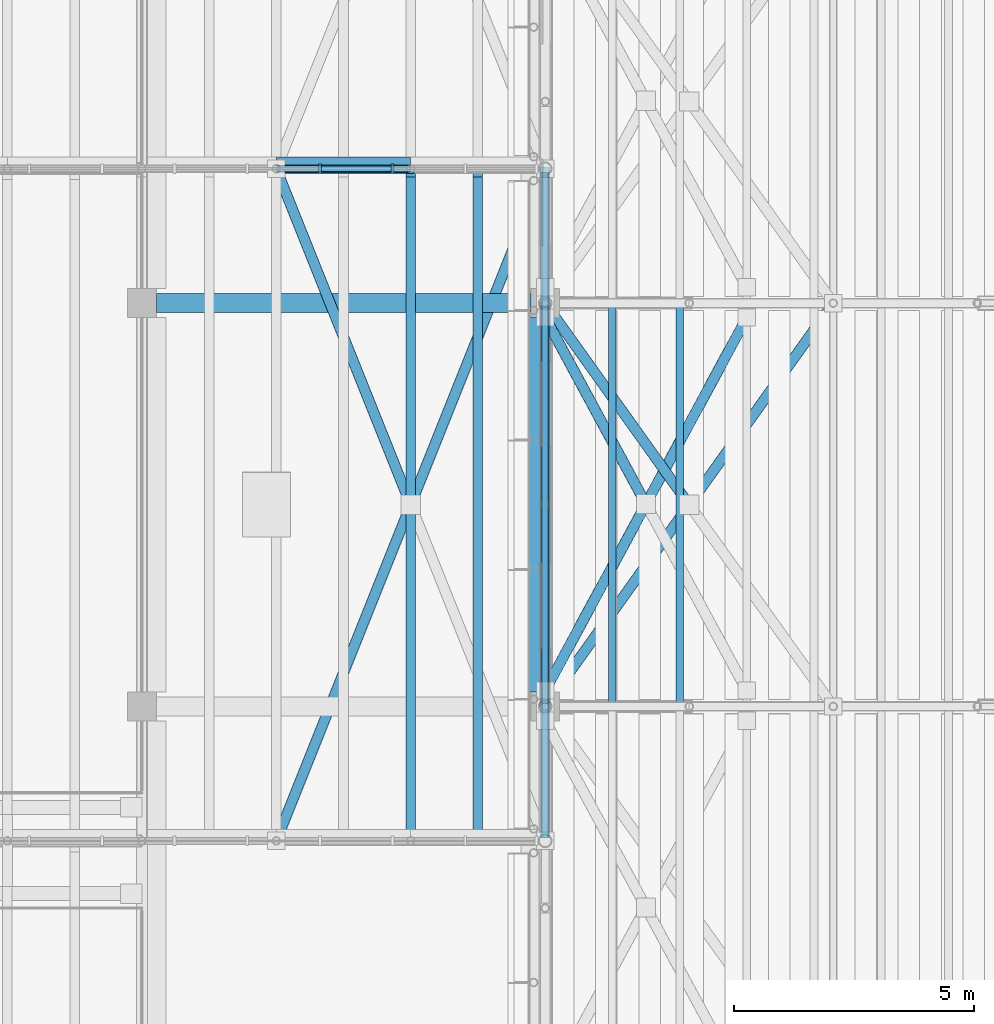
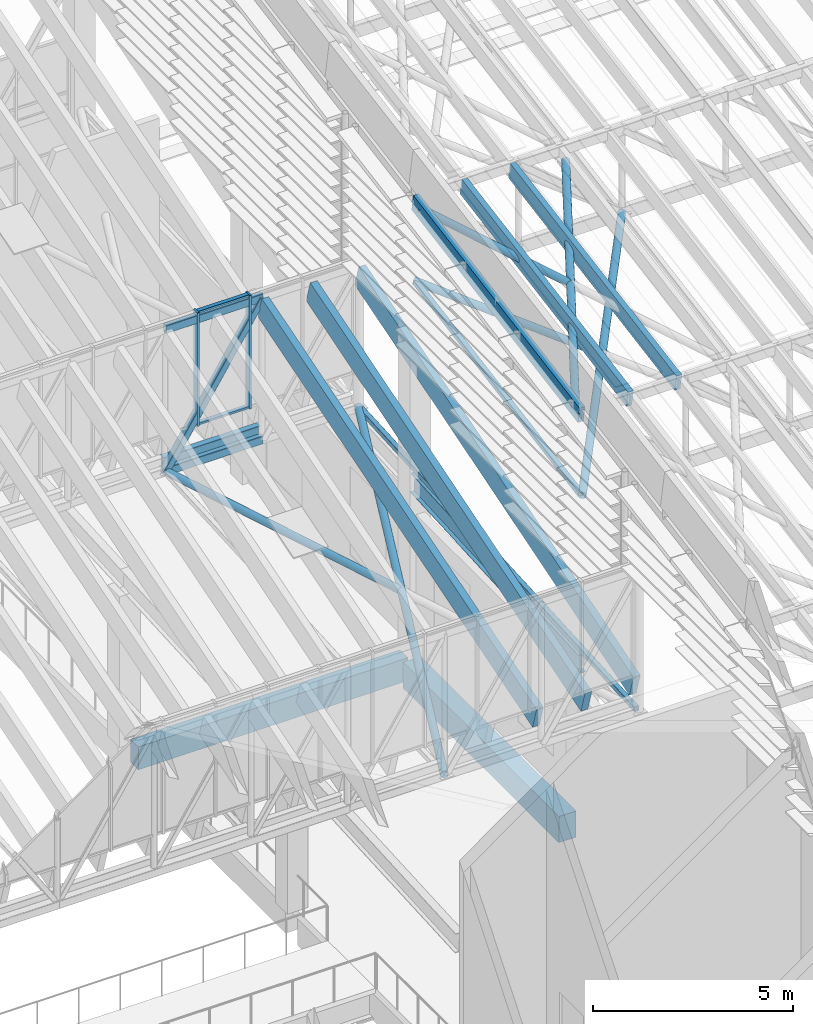
# One storey, part 23 of 91: 21 members, 4 beams, 1 element without a shape of its own.
"""IFC4 building model written with IfcOpenShell, lengths in metres."""

from ifc_helpers import new_model, si_unit, direction, frame, origin, origin_2d, place, context, subcontext, project, spatial, rectangle, hollow_rectangle, hollow_circle, i_section, extrude, material, material_profile, profile_set, type_object, element, aggregate, save


model = new_model("IFC4")

# Units and contexts
model_context = context("Model", 3, precision=1e-05, world=origin(), true_north=direction((0.0, 1.0)))
body_context = subcontext(model_context, "Body", "Model", "MODEL_VIEW")
ifc_project = project(units=[si_unit("LENGTHUNIT", "METRE"), si_unit("AREAUNIT", "SQUARE_METRE"), si_unit("VOLUMEUNIT", "CUBIC_METRE"), si_unit("PLANEANGLEUNIT", "RADIAN"), si_unit("MASSUNIT", "GRAM", prefix="KILO")], contexts=[model_context])

# Site, building, storey
site_placement = place(None, origin())
site = spatial("IfcSite", under=ifc_project, at=site_placement, CompositionType="ELEMENT")
building_placement = place(site_placement, origin())
building = spatial("IfcBuilding", under=site, at=building_placement, Name="Almond Square Museum", CompositionType="ELEMENT")
storey_placement = place(building_placement, frame((0.0, 0.0, 30.0)))
storey = spatial("IfcBuildingStorey", under=building, at=storey_placement, Name="L05", CompositionType="ELEMENT", Elevation=30.0)

# Curtain wall, members
ifc_material_1 = material(Name="Aluminium and laminated glass", Category="aluminium")
curtain_wall_type = type_object("IfcCurtainWallType", Name="Unitised curtain wall 1500 module", PredefinedType="NOTDEFINED", material=ifc_material_1)
curtain_wall_placement = place(storey_placement, origin())
curtain_wall = element("IfcCurtainWall", 1, at=curtain_wall_placement, inside=storey, type_object=curtain_wall_type, Name="Rooflight glazing AG2", PredefinedType="NOTDEFINED")
ifc_material_2 = material(Name="Anodised aluminium", Category="aluminium")
ifc_material_profile_1 = material_profile(ifc_material_2, rectangle(XDim=0.199951171875, YDim=0.06005859375, at=origin_2d()))
ifc_profile_set_1 = profile_set([ifc_material_profile_1], Name="Anodised aluminium")
member_type_1 = type_object("IfcMemberType", Name="Aluminium mullion 60 x 200", PredefinedType="MULLION", material=ifc_profile_set_1)
member_1_placement = place(storey_placement, frame((102.109130859375, 95.199951171875, 6.60009765625), z_axis=(0.0, 0.0, 1.0), x_axis=(0.0, 1.0, 0.0)))
member_1 = element("IfcMember", 2, at=member_1_placement, type_object=member_type_1, Name="CW-57 mullion 20", PredefinedType="MULLION", context=body_context, shape_type="SweptSolid", body=[
    extrude(rectangle(XDim=0.199951171875, YDim=0.06005859375, at=origin_2d()), origin(), (0.0, 0.0, 1.0), 3.480224609375),
])
member_2_placement = place(storey_placement, frame((103.622802734375, 95.199951171875, 6.60009765625), z_axis=(0.0, 0.0, 1.0), x_axis=(0.0, 1.0, 0.0)))
member_2 = element("IfcMember", 3, at=member_2_placement, type_object=member_type_1, Name="CW-57 mullion 21", PredefinedType="MULLION", context=body_context, shape_type="SweptSolid", body=[
    extrude(rectangle(XDim=0.199951171875, YDim=0.06005859375, at=origin_2d()), origin(), (0.0, 0.0, 1.0), 3.480224609375),
])
ifc_material_3 = material(Name="Anodised aluminium", Category="aluminium")
ifc_material_profile_2 = material_profile(ifc_material_3, rectangle(XDim=0.1201171875, YDim=0.06005859375, at=origin_2d()))
ifc_profile_set_2 = profile_set([ifc_material_profile_2], Name="Anodised aluminium")
member_type_2 = type_object("IfcMemberType", Name="Aluminium transom 60 x 120", PredefinedType="USERDEFINED", material=ifc_profile_set_2)
member_3_placement = place(storey_placement, frame((102.13916015625, 95.199951171875, 6.6298828125), z_axis=(1.0, 0.0, 0.0), x_axis=(0.0, 1.0, 0.0)))
member_3 = element("IfcMember", 4, at=member_3_placement, type_object=member_type_2, Name="CW-57 transom 20.1", ObjectType="TRANSOM", PredefinedType="USERDEFINED", context=body_context, shape_type="SweptSolid", body=[
    extrude(rectangle(XDim=0.1201171875, YDim=0.06005859375, at=origin_2d()), origin(), (0.0, 0.0, 1.0), 1.45361328125),
])
member_4_placement = place(storey_placement, frame((102.13916015625, 95.199951171875, 10.05029296875), z_axis=(1.0, 0.0, 0.0), x_axis=(0.0, 1.0, 0.0)))
member_4 = element("IfcMember", 5, at=member_4_placement, type_object=member_type_2, Name="CW-57 transom 20.2", ObjectType="TRANSOM", PredefinedType="USERDEFINED", context=body_context, shape_type="SweptSolid", body=[
    extrude(rectangle(XDim=0.1201171875, YDim=0.06005859375, at=origin_2d()), origin(), (0.0, 0.0, 1.0), 1.45361328125),
])
aggregate(curtain_wall, [member_1, member_2, member_3, member_4])

# Beam
ifc_material_4 = material(Name="Structural steel S355", Category="steel")
ifc_material_profile_3 = material_profile(ifc_material_4, i_section(OverallWidth=0.22802734375, OverallDepth=0.60693359375, WebThickness=0.01123046875, FlangeThickness=0.017333984375, at=origin_2d()))
ifc_profile_set_3 = profile_set([ifc_material_profile_3], Name="Structural steel S355")
beam_type_1 = type_object("IfcBeamType", Name="Girder W610x113", PredefinedType="BEAM", material=ifc_profile_set_3)
beam_1_placement = place(storey_placement, frame((106.800048828125, 84.0, 4.436767578125), z_axis=(0.0, 0.998371428865, 0.0570481378), x_axis=(-1.0, 0.0, 0.0)))
element("IfcBeam", 6, at=beam_1_placement, inside=storey, type_object=beam_type_1, Name="Atrium roof girder 4.2", PredefinedType="BEAM", context=body_context, shape_type="SweptSolid", body=[
    extrude(i_section(OverallWidth=0.22802734375, OverallDepth=0.60693359375, WebThickness=0.01123046875, FlangeThickness=0.017333984375, at=origin_2d()), origin(), (0.0, 0.0, 1.0), 8.41357421875),
])

# Members
ifc_material_5 = material(Name="Glulam GL28h", Category="wood")
ifc_material_profile_4 = material_profile(ifc_material_5, rectangle(XDim=0.159912109375, YDim=0.5, at=origin_2d()))
ifc_profile_set_4 = profile_set([ifc_material_profile_4], Name="Glulam GL28h")
member_type_3 = type_object("IfcMemberType", Name="Glulam rafter GL28h 160x500", PredefinedType="RAFTER", material=ifc_profile_set_4)
for number, where, z_axis, x_axis, name in (
    (7, (106.800048828125, 84.030029296875, 12.02978515625), (0.0, 0.985026056556, 0.172405533279), (-1.0, 0.0, 0.0), "Hall rafter 5.1"),
    (8, (108.199951171875, 84.030029296875, 12.02978515625), (0.0, 0.985026056556, 0.172405533279), (-1.0, 0.0, 0.0), "Hall rafter 5.2"),
    (9, (109.60009765625, 84.030029296875, 12.02978515625), (0.0, 0.985026056556, 0.172405533279), (-1.0, 0.0, 0.0), "Hall rafter 5.3"),
):
    element("IfcMember", number, at=place(storey_placement, frame(where, z_axis=z_axis, x_axis=x_axis)), inside=storey, type_object=member_type_3, Name=name, PredefinedType="RAFTER", context=body_context, shape_type="SweptSolid", body=[
        extrude(rectangle(XDim=0.159912109375, YDim=0.5, at=origin_2d()), origin(), (0.0, 0.0, 1.0), 8.459716796875),
    ])
ifc_material_6 = material(Name="Glulam GL28h", Category="wood")
ifc_material_profile_5 = material_profile(ifc_material_6, rectangle(XDim=0.199951171875, YDim=0.699951171875, at=origin_2d()))
ifc_profile_set_5 = profile_set([ifc_material_profile_5], Name="Glulam GL28h")
member_type_4 = type_object("IfcMemberType", Name="Glulam rafter GL28h 200x700", PredefinedType="RAFTER", material=ifc_profile_set_5)
for number, where, z_axis, x_axis, name in (
    (10, (104.0, 81.35791015625, 5.377685546875), (0.0, 0.956305482031, 0.29236932985), (-1.0, 0.0, 0.0), "Atrium rafter 2.23"),
    (11, (105.39990234375, 81.35791015625, 5.377685546875), (0.0, 0.956305482031, 0.29236932985), (-1.0, 0.0, 0.0), "Atrium rafter 2.24"),
    (12, (106.800048828125, 81.35791015625, 5.377685546875), (0.0, 0.956305482031, 0.29236932985), (-1.0, 0.0, 0.0), "Atrium rafter 2.25"),
):
    element("IfcMember", number, at=place(storey_placement, frame(where, z_axis=z_axis, x_axis=x_axis)), inside=storey, type_object=member_type_4, Name=name, PredefinedType="RAFTER", context=body_context, shape_type="SweptSolid", body=[
        extrude(rectangle(XDim=0.199951171875, YDim=0.699951171875, at=origin_2d()), origin(), (0.0, 0.0, 1.0), 14.396240234375),
    ])

# Beams
ifc_material_7 = material(Name="Concrete C40/50", Category="concrete")
ifc_material_profile_6 = material_profile(ifc_material_7, rectangle(XDim=0.39990234375, YDim=0.699951171875, at=origin_2d()))
ifc_profile_set_6 = profile_set([ifc_material_profile_6], Name="Concrete C40/50")
beam_type_2 = type_object("IfcBeamType", Name="RC beam 400 x 700 C40/50", PredefinedType="BEAM", material=ifc_profile_set_6)
beam_2_placement = place(storey_placement, frame((98.699951171875, 92.39990234375, -0.60009765625), z_axis=(1.0, 0.0, 0.0), x_axis=(0.0, 1.0, 0.0)))
element("IfcBeam", 13, at=beam_2_placement, inside=storey, type_object=beam_type_2, Name="Beam L 13-14 L05", PredefinedType="BEAM", context=body_context, shape_type="SweptSolid", body=[
    extrude(rectangle(XDim=0.39990234375, YDim=0.699951171875, at=origin_2d()), origin(), (0.0, 0.0, 1.0), 7.800048828125),
])
ifc_material_8 = material(Name="Concrete C40/50", Category="concrete")
ifc_material_profile_7 = material_profile(ifc_material_8, rectangle(XDim=0.5, YDim=0.800048828125, at=origin_2d()))
ifc_profile_set_7 = profile_set([ifc_material_profile_7], Name="Concrete C40/50")
beam_type_3 = type_object("IfcBeamType", Name="RC edge beam 500 x 800 C40/50", PredefinedType="BEAM", material=ifc_profile_set_7)
beam_3_placement = place(storey_placement, frame((106.550048828125, 84.300048828125, -0.64990234375), z_axis=(0.0, 1.0, 0.0), x_axis=(-1.0, 0.0, 0.0)))
element("IfcBeam", 14, at=beam_3_placement, inside=storey, type_object=beam_type_3, Name="Edge beam 14 K-L L05", PredefinedType="BEAM", context=body_context, shape_type="SweptSolid", body=[
    extrude(rectangle(XDim=0.5, YDim=0.800048828125, at=origin_2d()), origin(), (0.0, 0.0, 1.0), 7.800048828125),
])

# Members
ifc_material_9 = material(Name="Structural steel S355", Category="steel")
ifc_material_profile_8 = material_profile(ifc_material_9, hollow_circle(Radius=0.109619140625, WallThickness=0.010009765625, at=origin_2d()))
ifc_profile_set_8 = profile_set([ifc_material_profile_8], Name="Structural steel S355")
member_type_5 = type_object("IfcMemberType", Name="Roof brace CHS 219.1x10", PredefinedType="BRACE", material=ifc_profile_set_8)
member_5_placement = place(storey_placement, frame((106.800048828125, 84.0, 9.580078125), z_axis=(0.575437525573, 0.805603169958, 0.140979384012), x_axis=(-0.813730275137, 0.581242668191, 0.0)))
element("IfcMember", 15, at=member_5_placement, inside=storey, type_object=member_type_5, Name="Hall bay 5 plan brace", PredefinedType="BRACE", context=body_context, shape_type="SweptSolid", body=[
    extrude(hollow_circle(Radius=0.109619140625, WallThickness=0.010009765625, at=origin_2d()), origin(), (0.0, 0.0, 1.0), 10.4267578125),
])
member_6_placement = place(storey_placement, frame((106.800048828125, 84.330078125, 12.08251953125), z_axis=(0.469976234264, 0.869468327134, 0.152141931559), x_axis=(-0.879709326121, 0.475511831121, 0.0)))
element("IfcMember", 16, at=member_6_placement, inside=storey, type_object=member_type_5, Name="Hall roof plane brace 5", PredefinedType="BRACE", context=body_context, shape_type="SweptSolid", body=[
    extrude(hollow_circle(Radius=0.109619140625, WallThickness=0.010009765625, at=origin_2d()), origin(), (0.0, 0.0, 1.0), 8.9365234375),
])
member_7_placement = place(storey_placement, frame((101.199951171875, 81.199951171875, 4.705078125), z_axis=(0.370874574302, 0.927170267188, 0.052984391838), x_axis=(-0.928474457584, 0.371396259558, 0.0)))
element("IfcMember", 17, at=member_7_placement, inside=storey, type_object=member_type_5, Name="Atrium bay 1 plan brace", PredefinedType="BRACE", context=body_context, shape_type="SweptSolid", body=[
    extrude(hollow_circle(Radius=0.109619140625, WallThickness=0.010009765625, at=origin_2d()), origin(), (0.0, 0.0, 1.0), 15.099609375),
])
member_8_placement = place(storey_placement, frame((104.0, 88.199951171875, 5.105224609375), z_axis=(-0.370874891975, 0.927171061358, 0.052968268642), x_axis=(-0.928474457584, -0.371396259558, 0.0)))
element("IfcMember", 18, at=member_8_placement, inside=storey, type_object=member_type_5, Name="Atrium bay 1 plan brace", PredefinedType="BRACE", context=body_context, shape_type="SweptSolid", body=[
    extrude(hollow_circle(Radius=0.109619140625, WallThickness=0.010009765625, at=origin_2d()), origin(), (0.0, 0.0, 1.0), 7.5498046875),
])
member_9_placement = place(storey_placement, frame((109.800048828125, 88.199951171875, 10.31494140625), z_axis=(-0.575435625919, 0.805600510472, 0.141002333141), x_axis=(-0.813730275137, -0.581242668191, 0.0)))
element("IfcMember", 19, at=member_9_placement, inside=storey, type_object=member_type_5, Name="Hall bay 5 plan brace", PredefinedType="BRACE", context=body_context, shape_type="SweptSolid", body=[
    extrude(hollow_circle(Radius=0.109619140625, WallThickness=0.010009765625, at=origin_2d()), origin(), (0.0, 0.0, 1.0), 5.21337890625),
])
member_10_placement = place(storey_placement, frame((108.89990234375, 88.215087890625, 12.76220703125), z_axis=(-0.469952995123, 0.869475876223, 0.152170572191), x_axis=(-0.87972088867, -0.47549043948, 0.0)))
element("IfcMember", 20, at=member_10_placement, inside=storey, type_object=member_type_5, Name="Hall roof plane brace 5", PredefinedType="BRACE", context=body_context, shape_type="SweptSolid", body=[
    extrude(hollow_circle(Radius=0.109619140625, WallThickness=0.010009765625, at=origin_2d()), origin(), (0.0, 0.0, 1.0), 4.46826171875),
])
ifc_material_10 = material(Name="Structural steel S355", Category="steel")
ifc_material_profile_9 = material_profile(ifc_material_10, hollow_rectangle(XDim=0.14990234375, YDim=0.25, WallThickness=0.010009765625, InnerFilletRadius=0.014892578125, OuterFilletRadius=0.02490234375, at=origin_2d()))
ifc_profile_set_9 = profile_set([ifc_material_profile_9], Name="Structural steel S355")
member_type_6 = type_object("IfcMemberType", Name="Truss chord RHS 250x150x10", PredefinedType="CHORD", material=ifc_profile_set_9)
for number, where, z_axis, x_axis, name in (
    (21, (101.199951171875, 95.199951171875, 9.8505859375), (1.0, 0.0, 0.0), (0.0, 1.0, 0.0), "TR-11 top chord 11"),
    (22, (101.199951171875, 95.199951171875, 5.505126953125), (1.0, 0.0, 0.0), (0.0, 1.0, 0.0), "TR-11 bottom chord 11"),
):
    element("IfcMember", number, at=place(storey_placement, frame(where, z_axis=z_axis, x_axis=x_axis)), inside=storey, type_object=member_type_6, Name=name, PredefinedType="CHORD", context=body_context, shape_type="SweptSolid", body=[
        extrude(hollow_rectangle(XDim=0.14990234375, YDim=0.25, WallThickness=0.010009765625, InnerFilletRadius=0.014892578125, OuterFilletRadius=0.02490234375, at=origin_2d()), origin(), (0.0, 0.0, 1.0), 2.800048828125),
    ])
ifc_material_11 = material(Name="Structural steel S355", Category="steel")
ifc_material_profile_10 = material_profile(ifc_material_11, hollow_rectangle(XDim=0.199951171875, YDim=0.199951171875, WallThickness=0.010009765625, InnerFilletRadius=0.014892578125, OuterFilletRadius=0.02490234375, at=origin_2d()))
ifc_profile_set_10 = profile_set([ifc_material_profile_10], Name="Structural steel S355")
member_type_7 = type_object("IfcMemberType", Name="Truss diagonal SHS 200x200x10", PredefinedType="BRACE", material=ifc_profile_set_10)
member_11_placement = place(storey_placement, frame((101.199951171875, 95.199951171875, 5.505126953125), z_axis=(0.541652391523, 0.0, 0.840602573609), x_axis=(0.0, 1.0, 0.0)))
element("IfcMember", 23, at=member_11_placement, inside=storey, type_object=member_type_7, Name="TR-11 diagonal 11", PredefinedType="BRACE", context=body_context, shape_type="SweptSolid", body=[
    extrude(hollow_rectangle(XDim=0.199951171875, YDim=0.199951171875, WallThickness=0.010009765625, InnerFilletRadius=0.014892578125, OuterFilletRadius=0.02490234375, at=origin_2d()), origin(), (0.0, 0.0, 1.0), 5.16943359375),
])
ifc_material_12 = material(Name="Structural steel S355", Category="steel")
ifc_material_profile_11 = material_profile(ifc_material_12, hollow_rectangle(XDim=0.14990234375, YDim=0.14990234375, WallThickness=0.008056640625, InnerFilletRadius=0.011962890625, OuterFilletRadius=0.02001953125, at=origin_2d()))
ifc_profile_set_11 = profile_set([ifc_material_profile_11], Name="Structural steel S355")
member_type_8 = type_object("IfcMemberType", Name="Truss tie SHS 150x150x8", PredefinedType="MEMBER", material=ifc_profile_set_11)
member_12_placement = place(storey_placement, frame((106.800048828125, 84.074951171875, 9.580078125), z_axis=(0.0, 0.984494486924, 0.175415521596), x_axis=(-1.0, 0.0, 0.0)))
element("IfcMember", 24, at=member_12_placement, inside=storey, type_object=member_type_8, Name="Hall bay 5 tie 1", PredefinedType="MEMBER", context=body_context, shape_type="SweptSolid", body=[
    extrude(hollow_rectangle(XDim=0.14990234375, YDim=0.14990234375, WallThickness=0.008056640625, InnerFilletRadius=0.011962890625, OuterFilletRadius=0.02001953125, at=origin_2d()), origin(), (0.0, 0.0, 1.0), 8.3798828125),
])
member_13_placement = place(storey_placement, frame((106.800048828125, 81.27490234375, 4.705078125), z_axis=(0.0, 0.998335774698, 0.057668717322), x_axis=(-1.0, 0.0, 0.0)))
element("IfcMember", 25, at=member_13_placement, inside=storey, type_object=member_type_8, Name="Atrium bay 1 tie 7", PredefinedType="MEMBER", context=body_context, shape_type="SweptSolid", body=[
    extrude(hollow_rectangle(XDim=0.14990234375, YDim=0.14990234375, WallThickness=0.008056640625, InnerFilletRadius=0.011962890625, OuterFilletRadius=0.02001953125, at=origin_2d()), origin(), (0.0, 0.0, 1.0), 13.873291015625),
])

# Beam
ifc_material_13 = material(Name="Structural steel S355", Category="steel")
ifc_material_profile_12 = material_profile(ifc_material_13, i_section(OverallWidth=0.166015625, OverallDepth=0.528076171875, WebThickness=0.009765625, FlangeThickness=0.013671875, at=origin_2d()))
ifc_profile_set_12 = profile_set([ifc_material_profile_12], Name="Structural steel S355")
beam_type_4 = type_object("IfcBeamType", Name="Valley beam W530x74", PredefinedType="BEAM", material=ifc_profile_set_12)
beam_4_placement = place(storey_placement, frame((101.199951171875, 95.35791015625, 5.587890625), z_axis=(1.0, 0.0, 0.0), x_axis=(0.0, 1.0, 0.0)))
element("IfcBeam", 26, at=beam_4_placement, inside=storey, type_object=beam_type_4, Name="Atrium valley beam 2.11", PredefinedType="BEAM", context=body_context, shape_type="SweptSolid", body=[
    extrude(i_section(OverallWidth=0.166015625, OverallDepth=0.528076171875, WebThickness=0.009765625, FlangeThickness=0.013671875, at=origin_2d()), origin(), (0.0, 0.0, 1.0), 2.800048828125),
])

save(model, "model.ifc")
